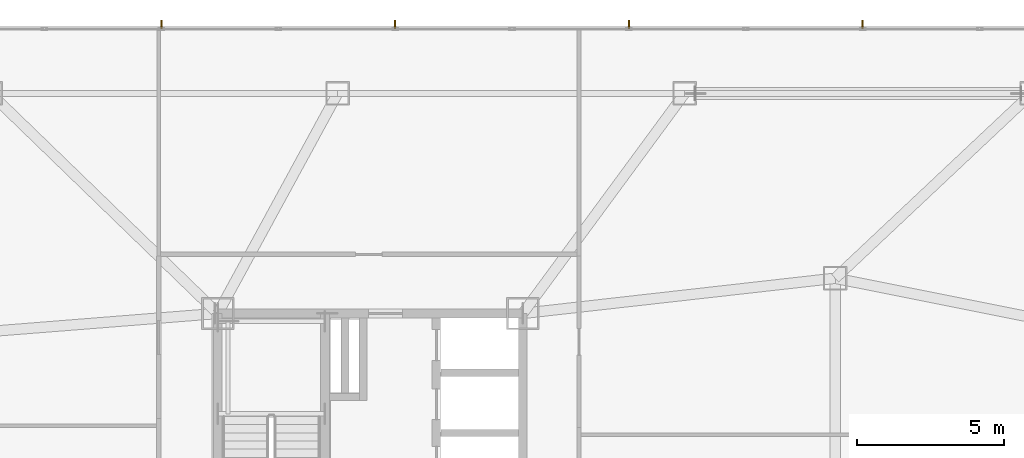
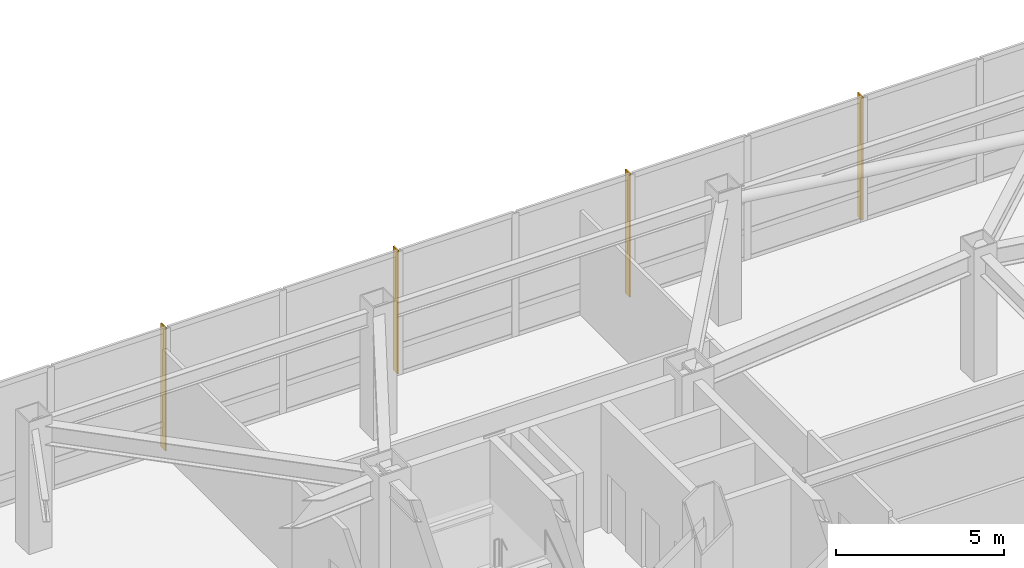
# One storey, part 16 of 16: 4 shading devices.
"""IFC4 building model written with IfcOpenShell, lengths in metres."""

from ifc_helpers import new_model, si_unit, direction, frame, origin, origin_2d, place, context, subcontext, project, spatial, rectangle, extrude, material, type_object, element, save


model = new_model("IFC4")

# Units and contexts
model_context = context("Model", 3, precision=1e-05, world=origin(), true_north=direction((0.0, 1.0)))
body_context = subcontext(model_context, "Body", "Model", "MODEL_VIEW")
ifc_project = project(units=[si_unit("LENGTHUNIT", "METRE"), si_unit("AREAUNIT", "SQUARE_METRE"), si_unit("VOLUMEUNIT", "CUBIC_METRE"), si_unit("PLANEANGLEUNIT", "RADIAN"), si_unit("MASSUNIT", "GRAM", prefix="KILO")], contexts=[model_context])

# Site, building, storey
site_placement = place(None, origin())
site = spatial("IfcSite", under=ifc_project, at=site_placement, CompositionType="ELEMENT")
building_placement = place(site_placement, origin())
building = spatial("IfcBuilding", under=site, at=building_placement, Name="Khamvora Tower", CompositionType="ELEMENT")
storey_placement = place(building_placement, frame((0.0, 0.0, 207.0)))
storey = spatial("IfcBuildingStorey", under=building, at=storey_placement, Name="L53", CompositionType="ELEMENT", Elevation=207.0)

# Shading devices
ifc_material = material(Name="Pale Anodised Aluminium 6063-T6", Category="aluminium")
shading_device_type = type_object("IfcShadingDeviceType", Name="SHD-FIN-280", PredefinedType="USERDEFINED", material=ifc_material)
for number, where, z_axis, x_axis, name in (
    (1, (27.072998046875, 46.864990234375, 0.0), (0.0, 0.0, 1.0), (1.0, 0.0, 0.0), "L53 anodised bronze solar fin 07.01"),
    (2, (35.044921875, 46.864990234375, 0.0), (0.0, 0.0, 1.0), (1.0, 0.0, 0.0), "L53 anodised bronze solar fin 07.02"),
    (3, (43.01611328125, 46.864990234375, 0.0), (0.0, 0.0, 1.0), (1.0, 0.0, 0.0), "L53 anodised bronze solar fin 07.03"),
    (4, (50.988037109375, 46.864990234375, 0.0), (0.0, 0.0, 1.0), (1.0, 0.0, 0.0), "L53 anodised bronze solar fin 07.04"),
):
    element("IfcShadingDevice", number, at=place(storey_placement, frame(where, z_axis=z_axis, x_axis=x_axis)), inside=storey, type_object=shading_device_type, Name=name, ObjectType="FIN", PredefinedType="USERDEFINED", context=body_context, shape_type="SweptSolid", body=[
        extrude(rectangle(XDim=0.050048828125, YDim=0.280029296875, at=origin_2d()), origin(), (0.0, 0.0, 1.0), 4.47998046875),
    ])

save(model, "model.ifc")
